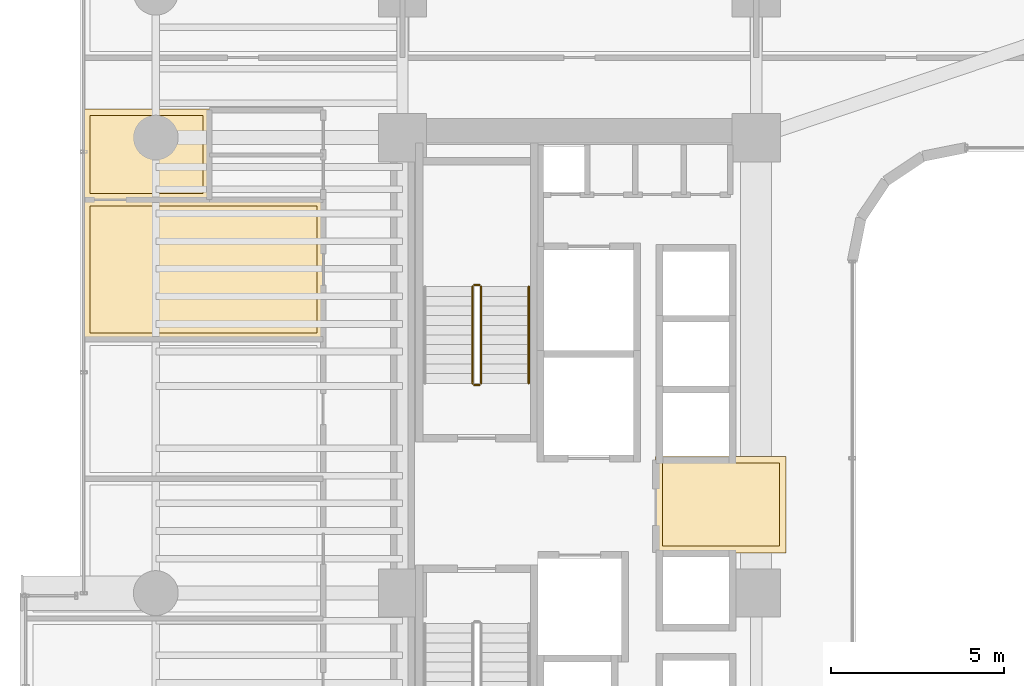
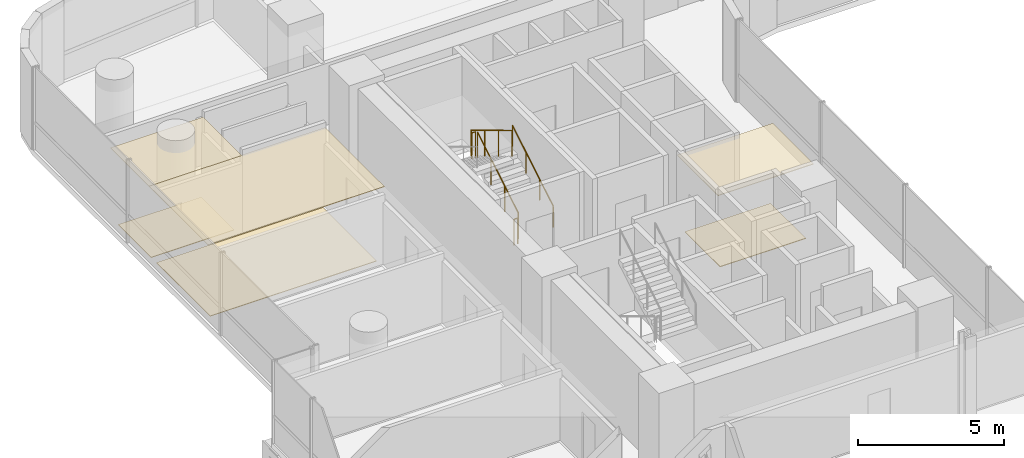
# One storey, part 37 of 39: 6 coverings, 5 railings.
"""IFC4 building model written with IfcOpenShell, lengths in metres."""

from ifc_helpers import new_model, si_unit, direction, frame, origin, origin_2d, place, context, subcontext, project, spatial, polyline, circle, outline, extrude, material, layer, layer_set, type_object, element, save


model = new_model("IFC4")

# Units and contexts
model_context = context("Model", 3, precision=1e-05, world=origin(), true_north=direction((0.0, 1.0)))
body_context = subcontext(model_context, "Body", "Model", "MODEL_VIEW")
ifc_project = project(units=[si_unit("LENGTHUNIT", "METRE"), si_unit("AREAUNIT", "SQUARE_METRE"), si_unit("VOLUMEUNIT", "CUBIC_METRE"), si_unit("PLANEANGLEUNIT", "RADIAN"), si_unit("MASSUNIT", "GRAM", prefix="KILO")], contexts=[model_context])

# Site, building, storey
site_placement = place(None, origin())
site = spatial("IfcSite", under=ifc_project, at=site_placement, CompositionType="ELEMENT")
building_placement = place(site_placement, origin())
building = spatial("IfcBuilding", under=site, at=building_placement, Name="Valdorenza Pilgrim Sanctuary Tower", CompositionType="ELEMENT")
storey_placement = place(building_placement, frame((0.0, 0.0, 33.39990234375)))
storey = spatial("IfcBuildingStorey", under=building, at=storey_placement, Name="L07", CompositionType="ELEMENT", Elevation=33.39990234375)

# Coverings
ifc_material_1 = material(Name="Micro-perforated acoustic mineral ceiling tile", Category="gypsum")
ifc_layer_1 = layer(ifc_material_1, 0.02490234375, Name="Micro-perforated acoustic mineral ceiling tile")
ifc_layer_set_1 = layer_set([ifc_layer_1], Name="Micro-perforated acoustic mineral ceiling tile")
covering_type_1 = type_object("IfcCoveringType", Name="COV-CLG-ACU", PredefinedType="CEILING", material=ifc_layer_set_1)
covering_1_placement = place(storey_placement, frame((0.0, 0.0, 3.16015625)))
element("IfcCovering", 1, at=covering_1_placement, inside=storey, type_object=covering_type_1, Name="L07 Core A Passenger Lift Lobby Acoustic Ceiling", PredefinedType="CEILING", context=body_context, shape_type="SweptSolid", body=[
    extrude(outline(polyline([(-15.31298828125, 1.244384765625), (-15.31298828125, 1.24462890625), (-15.313720703125, 1.24609375), (-15.314208984375, 1.24755859375), (-15.314697265625, 1.2490234375), (-15.31494140625, 1.25048828125), (-15.31494140625, 1.251953125), (-15.31494140625, 1.35009765625), (-15.31494140625, 1.3515625), (-15.314697265625, 1.352783203125), (-15.314453125, 1.3544921875), (-15.31396484375, 1.355712890625), (-15.313232421875, 1.357177734375), (-15.3125, 1.3583984375), (-15.3115234375, 1.359619140625), (-15.310546875, 1.360595703125), (-15.3095703125, 1.361572265625), (-15.308349609375, 1.362548828125), (-15.30712890625, 1.36328125), (-15.3056640625, 1.364013671875), (-15.304443359375, 1.364501953125), (-15.302978515625, 1.36474609375), (-15.301513671875, 1.364990234375), (-15.300048828125, 1.364990234375), (-15.10205078125, 1.364990234375), (-15.1005859375, 1.364990234375), (-15.09912109375, 1.36474609375), (-15.097412109375, 1.3642578125), (-15.09619140625, 1.36376953125), (-15.0947265625, 1.363037109375), (-15.094482421875, 1.363037109375), (-13.185546875, 1.363037109375), (-13.185302734375, 1.363037109375), (-13.183837890625, 1.36376953125), (-13.1826171875, 1.3642578125), (-13.180908203125, 1.36474609375), (-13.179443359375, 1.364990234375), (-13.177978515625, 1.364990234375), (-11.550048828125, 1.364990234375), (-11.548583984375, 1.364990234375), (-11.547119140625, 1.36474609375), (-11.545654296875, 1.364501953125), (-11.544189453125, 1.364013671875), (-11.54296875, 1.36328125), (-11.541748046875, 1.362548828125), (-11.54052734375, 1.361572265625), (-11.539306640625, 1.360595703125), (-11.538330078125, 1.359619140625), (-11.53759765625, 1.3583984375), (-11.536865234375, 1.357177734375), (-11.5361328125, 1.355712890625), (-11.53564453125, 1.3544921875), (-11.535400390625, 1.352783203125), (-11.53515625, 1.3515625), (-11.534912109375, 1.35009765625), (-11.534912109375, -1.419921875), (-11.53515625, -1.42138671875), (-11.535400390625, -1.4228515625), (-11.53564453125, -1.42431640625), (-11.5361328125, -1.42578125), (-11.536865234375, -1.427001953125), (-11.53759765625, -1.42822265625), (-11.538330078125, -1.429443359375), (-11.539306640625, -1.4306640625), (-11.54052734375, -1.431640625), (-11.541748046875, -1.4326171875), (-11.54296875, -1.43310546875), (-11.544189453125, -1.433837890625), (-11.545654296875, -1.434326171875), (-11.547119140625, -1.434814453125), (-11.548583984375, -1.434814453125), (-11.550048828125, -1.43505859375), (-15.298095703125, -1.43505859375), (-15.299560546875, -1.434814453125), (-15.30078125, -1.434814453125), (-15.302490234375, -1.434326171875), (-15.3037109375, -1.433837890625), (-15.30517578125, -1.43310546875), (-15.306396484375, -1.4326171875), (-15.3076171875, -1.431640625), (-15.30859375, -1.4306640625), (-15.3095703125, -1.429443359375), (-15.310546875, -1.42822265625), (-15.311279296875, -1.427001953125), (-15.31201171875, -1.42578125), (-15.3125, -1.42431640625), (-15.312744140625, -1.4228515625), (-15.31298828125, -1.42138671875), (-15.31298828125, -1.419921875), (-15.31298828125, 1.244384765625)])), origin(), (0.0, 0.0, 1.0), 0.02490234375),
])
covering_2_placement = place(storey_placement, frame((0.0, 0.0, 3.16015625)))
element("IfcCovering", 2, at=covering_2_placement, inside=storey, type_object=covering_type_1, Name="L07 Pilgrim Scholar Office L07-WN Acoustic Ceiling", PredefinedType="CEILING", context=body_context, shape_type="SweptSolid", body=[
    extrude(outline(polyline([(-28.237060546875, 11.39453125), (-28.237060546875, 10.103759765625), (-28.23681640625, 10.10302734375), (-28.23681640625, 10.1015625), (-28.23681640625, 10.10009765625), (-28.23681640625, 10.098388671875), (-28.237060546875, 10.09814453125), (-28.237060546875, 8.800048828125), (-28.237060546875, 8.798583984375), (-28.2373046875, 8.797119140625), (-28.237548828125, 8.795654296875), (-28.238037109375, 8.794189453125), (-28.23876953125, 8.79296875), (-28.239501953125, 8.791748046875), (-28.240478515625, 8.79052734375), (-28.241455078125, 8.789306640625), (-28.242431640625, 8.788330078125), (-28.24365234375, 8.78759765625), (-28.244873046875, 8.786865234375), (-28.246337890625, 8.7861328125), (-28.24755859375, 8.78564453125), (-28.2490234375, 8.785400390625), (-28.25048828125, 8.78515625), (-28.251953125, 8.784912109375), (-31.889892578125, 8.784912109375), (-31.8916015625, 8.78515625), (-31.892822265625, 8.785400390625), (-31.894287109375, 8.78564453125), (-31.895751953125, 8.7861328125), (-31.897216796875, 8.786865234375), (-31.898193359375, 8.78759765625), (-31.8994140625, 8.788330078125), (-31.900634765625, 8.789306640625), (-31.901611328125, 8.79052734375), (-31.902587890625, 8.791748046875), (-31.9033203125, 8.79296875), (-31.90380859375, 8.794189453125), (-31.904296875, 8.795654296875), (-31.90478515625, 8.797119140625), (-31.90478515625, 8.798583984375), (-31.905029296875, 8.800048828125), (-31.905029296875, 11.419921875), (-31.90478515625, 11.42138671875), (-31.90478515625, 11.4228515625), (-31.904296875, 11.42431640625), (-31.90380859375, 11.42578125), (-31.9033203125, 11.427001953125), (-31.902587890625, 11.42822265625), (-31.901611328125, 11.429443359375), (-31.900634765625, 11.4306640625), (-31.8994140625, 11.431640625), (-31.898193359375, 11.4326171875), (-31.897216796875, 11.43310546875), (-31.895751953125, 11.433837890625), (-31.894287109375, 11.434326171875), (-31.892822265625, 11.434814453125), (-31.8916015625, 11.434814453125), (-31.889892578125, 11.43505859375), (-28.25, 11.43505859375), (-28.24853515625, 11.434814453125), (-28.2470703125, 11.434814453125), (-28.24560546875, 11.434326171875), (-28.244384765625, 11.433837890625), (-28.242919921875, 11.43310546875), (-28.24169921875, 11.4326171875), (-28.240478515625, 11.431640625), (-28.239501953125, 11.4306640625), (-28.23828125, 11.429443359375), (-28.237548828125, 11.42822265625), (-28.23681640625, 11.427001953125), (-28.236083984375, 11.42578125), (-28.235595703125, 11.42431640625), (-28.2353515625, 11.4228515625), (-28.235107421875, 11.42138671875), (-28.235107421875, 11.419921875), (-28.235107421875, 11.402099609375), (-28.235107421875, 11.400390625), (-28.2353515625, 11.39892578125), (-28.235595703125, 11.3974609375), (-28.236083984375, 11.39599609375), (-28.23681640625, 11.394775390625), (-28.237060546875, 11.39453125)])), origin(), (0.0, 0.0, 1.0), 0.02490234375),
])
covering_3_placement = place(storey_placement, frame((0.0, 0.0, 3.16015625)))
element("IfcCovering", 3, at=covering_3_placement, inside=storey, type_object=covering_type_1, Name="L07 Pilgrim Scholar Office L07-W5 Acoustic Ceiling", PredefinedType="CEILING", context=body_context, shape_type="SweptSolid", body=[
    extrude(outline(polyline([(-28.253662109375, 8.81298828125), (-28.253173828125, 8.81298828125), (-28.25146484375, 8.813232421875), (-28.25, 8.813232421875), (-28.24853515625, 8.81298828125), (-28.248291015625, 8.81298828125), (-24.949951171875, 8.81298828125), (-24.948486328125, 8.81298828125), (-24.947021484375, 8.812744140625), (-24.945556640625, 8.8125), (-24.9443359375, 8.81201171875), (-24.94287109375, 8.811279296875), (-24.941650390625, 8.810546875), (-24.9404296875, 8.8095703125), (-24.939453125, 8.80859375), (-24.9384765625, 8.8076171875), (-24.9375, 8.806396484375), (-24.936767578125, 8.80517578125), (-24.93603515625, 8.8037109375), (-24.935546875, 8.802490234375), (-24.935302734375, 8.80078125), (-24.93505859375, 8.799560546875), (-24.93505859375, 8.798095703125), (-24.93505859375, 4.758056640625), (-24.93505859375, 4.756591796875), (-24.935302734375, 4.755126953125), (-24.935546875, 4.753662109375), (-24.93603515625, 4.752197265625), (-24.936767578125, 4.7509765625), (-24.9375, 4.749755859375), (-24.9384765625, 4.74853515625), (-24.939453125, 4.747314453125), (-24.9404296875, 4.746337890625), (-24.941650390625, 4.74560546875), (-24.94287109375, 4.744873046875), (-24.9443359375, 4.744140625), (-24.945556640625, 4.74365234375), (-24.947021484375, 4.743408203125), (-24.948486328125, 4.7431640625), (-24.949951171875, 4.742919921875), (-31.889892578125, 4.742919921875), (-31.8916015625, 4.7431640625), (-31.892822265625, 4.743408203125), (-31.894287109375, 4.74365234375), (-31.895751953125, 4.744140625), (-31.897216796875, 4.744873046875), (-31.898193359375, 4.74560546875), (-31.8994140625, 4.746337890625), (-31.900634765625, 4.747314453125), (-31.901611328125, 4.74853515625), (-31.902587890625, 4.749755859375), (-31.9033203125, 4.7509765625), (-31.90380859375, 4.752197265625), (-31.904296875, 4.753662109375), (-31.90478515625, 4.755126953125), (-31.90478515625, 4.756591796875), (-31.905029296875, 4.758056640625), (-31.905029296875, 8.798095703125), (-31.90478515625, 8.799560546875), (-31.90478515625, 8.80078125), (-31.904296875, 8.802490234375), (-31.90380859375, 8.8037109375), (-31.9033203125, 8.80517578125), (-31.902587890625, 8.806396484375), (-31.901611328125, 8.8076171875), (-31.900634765625, 8.80859375), (-31.8994140625, 8.8095703125), (-31.898193359375, 8.810546875), (-31.897216796875, 8.811279296875), (-31.895751953125, 8.81201171875), (-31.894287109375, 8.8125), (-31.892822265625, 8.812744140625), (-31.8916015625, 8.81298828125), (-31.889892578125, 8.81298828125), (-28.253662109375, 8.81298828125)])), origin(), (0.0, 0.0, 1.0), 0.02490234375),
])
ifc_material_2 = material(Name="Honed travertine stone flooring", Category="masonry")
ifc_layer_2 = layer(ifc_material_2, 0.030029296875, Name="Honed travertine stone flooring")
ifc_layer_set_2 = layer_set([ifc_layer_2], Name="Honed travertine stone flooring")
covering_type_2 = type_object("IfcCoveringType", Name="COV-FLR-TRV", PredefinedType="FLOORING", material=ifc_layer_set_2)
covering_4_placement = place(storey_placement, origin())
element("IfcCovering", 4, at=covering_4_placement, inside=storey, type_object=covering_type_2, Name="L07 Core A Passenger Lift Lobby Flooring", PredefinedType="FLOORING", context=body_context, shape_type="SweptSolid", body=[
    extrude(outline(polyline([(-15.117919921875, 1.169189453125), (-15.10888671875, 1.168212890625), (-15.10888671875, 1.168212890625), (-15.10009765625, 1.16796875), (-13.179931640625, 1.16796875), (-13.1796875, 1.16796875), (-11.72998046875, 1.169921875), (-11.72998046875, -1.239990234375), (-15.117919921875, -1.239990234375), (-15.117919921875, 1.169189453125)])), origin(), (0.0, 0.0, 1.0), 0.025146484375),
])
covering_5_placement = place(storey_placement, origin())
element("IfcCovering", 5, at=covering_5_placement, inside=storey, type_object=covering_type_2, Name="L07 Pilgrim Scholar Office L07-WN Flooring", PredefinedType="FLOORING", context=body_context, shape_type="SweptSolid", body=[
    extrude(outline(polyline([(-28.431884765625, 11.239990234375), (-28.431884765625, 10.10205078125), (-28.431884765625, 10.10107421875), (-28.431884765625, 10.100341796875), (-28.431884765625, 10.10009765625), (-28.431884765625, 8.97998046875), (-31.7099609375, 8.97998046875), (-31.7099609375, 11.239990234375), (-28.431884765625, 11.239990234375)])), origin(), (0.0, 0.0, 1.0), 0.025146484375),
])
covering_6_placement = place(storey_placement, origin())
element("IfcCovering", 6, at=covering_6_placement, inside=storey, type_object=covering_type_2, Name="L07 Pilgrim Scholar Office L07-W5 Flooring", PredefinedType="FLOORING", context=body_context, shape_type="SweptSolid", body=[
    extrude(outline(polyline([(-28.250244140625, 8.617919921875), (-28.25, 8.617919921875), (-25.1298828125, 8.617919921875), (-25.1298828125, 4.93798828125), (-31.7099609375, 4.93798828125), (-31.7099609375, 8.617919921875), (-28.251953125, 8.617919921875), (-28.2509765625, 8.617919921875), (-28.250244140625, 8.617919921875)])), origin(), (0.0, 0.0, 1.0), 0.025146484375),
])

# Railings
ifc_material_3 = material(Name="Stainless steel Grade 316", Category="steel")
railing_type_1 = type_object("IfcRailingType", Name="RLG-GRD-1120", PredefinedType="GUARDRAIL", material=ifc_material_3)
railing_1_placement = place(storey_placement, frame((-20.3701171875, 3.47998046875, 0.168212890625)))
element("IfcRailing", 7, at=railing_1_placement, inside=storey, type_object=railing_type_1, Name="L07 ST-A1 stair guard 1", PredefinedType="GUARDRAIL", context=body_context, shape_type="SweptSolid", body=[
    extrude(circle(Radius=0.02392578125, at=origin_2d()), frame((0.0, 0.0, 1.076171875), z_axis=(0.0, 0.857242210791, 0.514913383045), x_axis=(-1.0, 0.0, 0.0)), (0.0, 0.0, 1.0), 3.266357421875),
    extrude(circle(Radius=0.02099609375, at=origin_2d()), origin(), (0.0, 0.0, 1.0), 1.052001953125),
    extrude(circle(Radius=0.02099609375, at=origin_2d()), frame((0.0, 0.933349609375, 0.560546875)), (0.0, 0.0, 1.0), 1.052001953125),
    extrude(circle(Radius=0.02099609375, at=origin_2d()), frame((0.0, 1.86669921875, 1.121337890625)), (0.0, 0.0, 1.0), 1.052001953125),
    extrude(circle(Radius=0.02099609375, at=origin_2d()), frame((0.0, 2.800048828125, 1.681884765625)), (0.0, 0.0, 1.0), 1.052001953125),
])
railing_2_placement = place(storey_placement, frame((-20.419921875, 6.330078125, 1.85009765625)))
element("IfcRailing", 8, at=railing_2_placement, inside=storey, type_object=railing_type_1, Name="L07 ST-A1 stair guard 2", PredefinedType="GUARDRAIL", context=body_context, shape_type="SweptSolid", body=[
    extrude(circle(Radius=0.02392578125, at=origin_2d()), frame((0.0, 0.0, 1.076171875), z_axis=(-1.0, 0.0, 0.0), x_axis=(0.0, -1.0, 0.0)), (0.0, 0.0, 1.0), 0.150146484375),
    extrude(circle(Radius=0.02099609375, at=origin_2d()), origin(), (0.0, 0.0, 1.0), 1.052001953125),
    extrude(circle(Radius=0.02099609375, at=origin_2d()), frame((-0.150146484375, 0.0, 0.0)), (0.0, 0.0, 1.0), 1.052001953125),
])
railing_3_placement = place(storey_placement, frame((-20.6201171875, 6.280029296875, 2.018310546875)))
element("IfcRailing", 9, at=railing_3_placement, inside=storey, type_object=railing_type_1, Name="L07 ST-A1 stair guard 3", PredefinedType="GUARDRAIL", context=body_context, shape_type="SweptSolid", body=[
    extrude(circle(Radius=0.02392578125, at=origin_2d()), frame((0.0, 0.0, 1.076171875), z_axis=(0.0, -0.857242210791, 0.514913383045), x_axis=(1.0, 0.0, 0.0)), (0.0, 0.0, 1.0), 3.266357421875),
    extrude(circle(Radius=0.02099609375, at=origin_2d()), origin(), (0.0, 0.0, 1.0), 1.052001953125),
    extrude(circle(Radius=0.02099609375, at=origin_2d()), frame((0.0, -0.933349609375, 0.560546875)), (0.0, 0.0, 1.0), 1.052001953125),
    extrude(circle(Radius=0.02099609375, at=origin_2d()), frame((0.0, -1.86669921875, 1.121337890625)), (0.0, 0.0, 1.0), 1.052001953125),
    extrude(circle(Radius=0.02099609375, at=origin_2d()), frame((0.0, -2.800048828125, 1.681884765625)), (0.0, 0.0, 1.0), 1.052001953125),
])
railing_4_placement = place(storey_placement, frame((-20.419921875, 3.429931640625, 0.0)))
element("IfcRailing", 10, at=railing_4_placement, inside=storey, type_object=railing_type_1, Name="L07 ST-A1 stair guard 4", PredefinedType="GUARDRAIL", context=body_context, shape_type="SweptSolid", body=[
    extrude(circle(Radius=0.02392578125, at=origin_2d()), frame((0.0, 0.0, 1.076171875), z_axis=(-1.0, 0.0, 0.0), x_axis=(0.0, -1.0, 0.0)), (0.0, 0.0, 1.0), 0.150146484375),
    extrude(circle(Radius=0.02099609375, at=origin_2d()), origin(), (0.0, 0.0, 1.0), 1.052001953125),
    extrude(circle(Radius=0.02099609375, at=origin_2d()), frame((-0.150146484375, 0.0, 0.0)), (0.0, 0.0, 1.0), 1.052001953125),
])
ifc_material_4 = material(Name="Brushed stainless steel Grade 316", Category="steel")
railing_type_2 = type_object("IfcRailingType", Name="RLG-HND-920", PredefinedType="HANDRAIL", material=ifc_material_4)
railing_5_placement = place(storey_placement, frame((-18.989990234375, 3.47998046875, 0.168212890625)))
element("IfcRailing", 11, at=railing_5_placement, inside=storey, type_object=railing_type_2, Name="L07 ST-A1 stair handrail 1", PredefinedType="HANDRAIL", context=body_context, shape_type="SweptSolid", body=[
    extrude(circle(Radius=0.02392578125, at=origin_2d()), frame((0.0, 0.0, 0.8759765625), z_axis=(0.0, 0.857242210791, 0.514913383045), x_axis=(-1.0, 0.0, 0.0)), (0.0, 0.0, 1.0), 3.266357421875),
    extrude(circle(Radius=0.02099609375, at=origin_2d()), origin(), (0.0, 0.0, 1.0), 0.851806640625),
    extrude(circle(Radius=0.02099609375, at=origin_2d()), frame((0.0, 0.933349609375, 0.560546875)), (0.0, 0.0, 1.0), 0.851806640625),
    extrude(circle(Radius=0.02099609375, at=origin_2d()), frame((0.0, 1.86669921875, 1.121337890625)), (0.0, 0.0, 1.0), 0.851806640625),
    extrude(circle(Radius=0.02099609375, at=origin_2d()), frame((0.0, 2.800048828125, 1.681884765625)), (0.0, 0.0, 1.0), 0.851806640625),
])

save(model, "model.ifc")
